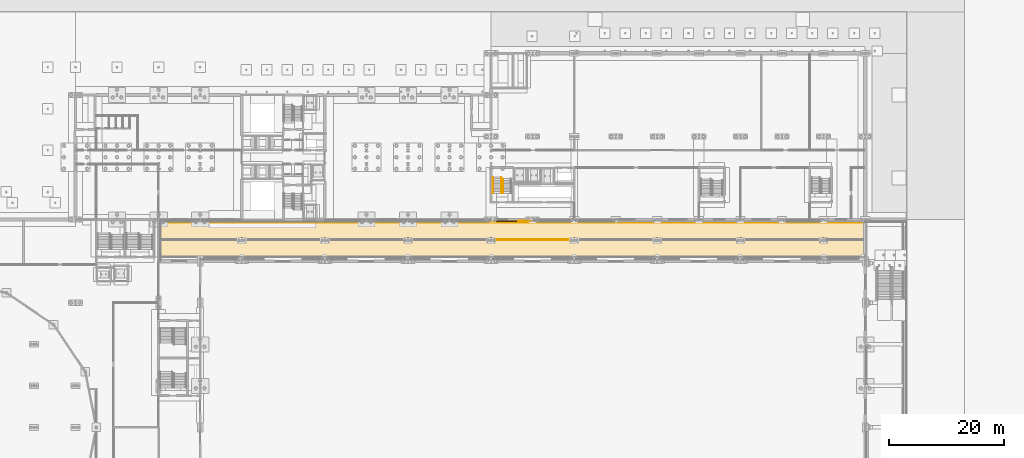
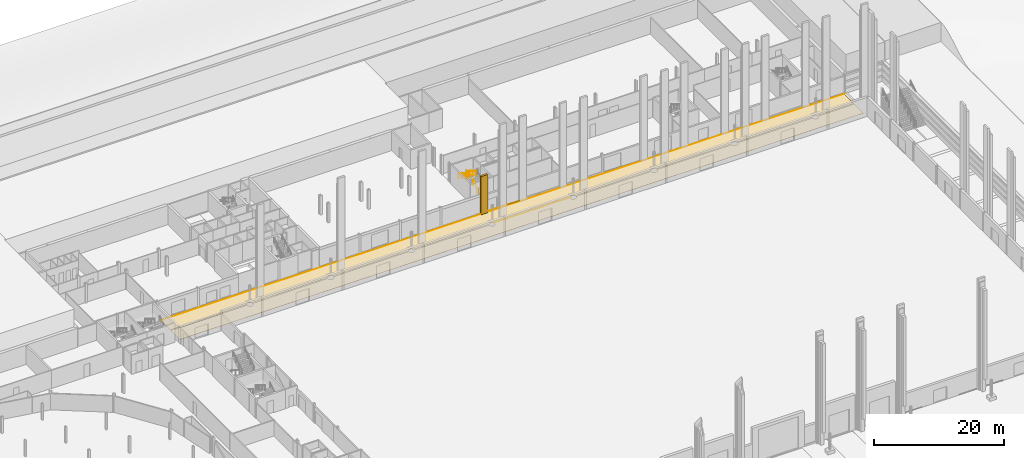
# One storey, part 141 of 148: 7 coverings, 3 railings.
"""IFC4 building model written with IfcOpenShell, lengths in metres."""

from ifc_helpers import new_model, si_unit, direction, frame, origin, origin_2d, place, context, subcontext, project, spatial, polyline, rectangle, circle, outline, extrude, material, layer, layer_set, type_object, element, save


model = new_model("IFC4")

# Units and contexts
model_context = context("Model", 3, precision=1e-05, world=origin(), true_north=direction((0.0, 1.0)))
body_context = subcontext(model_context, "Body", "Model", "MODEL_VIEW")
ifc_project = project(units=[si_unit("LENGTHUNIT", "METRE"), si_unit("AREAUNIT", "SQUARE_METRE"), si_unit("VOLUMEUNIT", "CUBIC_METRE"), si_unit("PLANEANGLEUNIT", "RADIAN"), si_unit("MASSUNIT", "GRAM", prefix="KILO")], contexts=[model_context])

# Site, building, storey
site_placement = place(None, origin())
site = spatial("IfcSite", under=ifc_project, at=site_placement, CompositionType="ELEMENT")
building_placement = place(site_placement, origin())
building = spatial("IfcBuilding", under=site, at=building_placement, Name="Kupolbacken Congress Centre", CompositionType="ELEMENT")
storey_placement = place(building_placement, origin())
storey = spatial("IfcBuildingStorey", under=building, at=storey_placement, Name="L00", CompositionType="ELEMENT", Elevation=0.0)

# Coverings
ifc_material_1 = material(Name="Limestone cladding", Category="masonry")
ifc_layer_1 = layer(ifc_material_1, 0.35009765625)
ifc_layer_set_1 = layer_set([ifc_layer_1], Name="Limestone cladding")
covering_type_1 = type_object("IfcCoveringType", Name="CV3 limestone pilaster strip 350", PredefinedType="CLADDING", material=ifc_layer_set_1)
covering_1_placement = place(storey_placement, frame((137.159912109375, 121.985107421875, 0.0), z_axis=(0.0, 0.0, 1.0), x_axis=(1.0, 0.0, 0.0)))
element("IfcCovering", 1, at=covering_1_placement, inside=storey, type_object=covering_type_1, Name="F/B/S/pil/00/0", PredefinedType="CLADDING", context=body_context, shape_type="SweptSolid", body=[
    extrude(rectangle(XDim=1.199951171875, YDim=0.35009765625, at=origin_2d()), origin(), (0.0, 0.0, 1.0), 7.199951171875),
])
ifc_material_2 = material(Name="Limestone cladding", Category="masonry")
ifc_layer_2 = layer(ifc_material_2, 0.02001953125)
ifc_layer_set_2 = layer_set([ifc_layer_2], Name="Limestone cladding")
covering_type_2 = type_object("IfcCoveringType", Name="GF1 limestone paving 20", PredefinedType="FLOORING", material=ifc_layer_set_2)
covering_2_placement = place(storey_placement, origin())
element("IfcCovering", 2, at=covering_2_placement, inside=storey, type_object=covering_type_2, Name="Bay and lane marking", PredefinedType="FLOORING", context=body_context, shape_type="SweptSolid", body=[
    extrude(outline(polyline([(150.76123046875, 118.993896484375), (150.740478515625, 118.939208984375), (150.729248046875, 118.893798828125), (150.72216796875, 118.84375), (137.27783203125, 118.84375), (137.270751953125, 118.893798828125), (137.259521484375, 118.939208984375), (137.23876953125, 118.993896484375), (150.76123046875, 118.993896484375)])), origin(), (0.0, 0.0, 1.0), 0.02001953125),
])
covering_3_placement = place(storey_placement, origin())
element("IfcCovering", 3, at=covering_3_placement, inside=storey, type_object=covering_type_2, Name="Bay and lane marking", PredefinedType="FLOORING", context=body_context, shape_type="SweptSolid", body=[
    extrude(outline(polyline([(86.138916015625, 121.99755859375), (86.173583984375, 121.9765625), (86.21630859375, 121.95654296875), (86.2607421875, 121.940673828125), (86.306396484375, 121.92919921875), (86.352783203125, 121.92236328125), (86.39990234375, 121.919921875), (86.447021484375, 121.92236328125), (86.49365234375, 121.92919921875), (86.539306640625, 121.940673828125), (86.583740234375, 121.95654296875), (86.626220703125, 121.9765625), (86.6611328125, 121.99755859375), (114.93896484375, 121.99755859375), (114.9736328125, 121.9765625), (115.016357421875, 121.95654296875), (115.060791015625, 121.940673828125), (115.106201171875, 121.92919921875), (115.15283203125, 121.92236328125), (115.199951171875, 121.919921875), (115.2470703125, 121.92236328125), (115.293701171875, 121.92919921875), (115.33935546875, 121.940673828125), (115.3837890625, 121.95654296875), (115.42626953125, 121.9765625), (115.461181640625, 121.99755859375), (122.138916015625, 121.99755859375), (122.173583984375, 121.9765625), (122.21630859375, 121.95654296875), (122.2607421875, 121.940673828125), (122.306396484375, 121.92919921875), (122.352783203125, 121.92236328125), (122.39990234375, 121.919921875), (122.447021484375, 121.92236328125), (122.49365234375, 121.92919921875), (122.539306640625, 121.940673828125), (122.583740234375, 121.95654296875), (122.626220703125, 121.9765625), (122.6611328125, 121.99755859375), (129.3388671875, 121.99755859375), (129.373779296875, 121.9765625), (129.416259765625, 121.95654296875), (129.460693359375, 121.940673828125), (129.50634765625, 121.92919921875), (129.552978515625, 121.92236328125), (129.60009765625, 121.919921875), (129.647216796875, 121.92236328125), (129.693603515625, 121.92919921875), (129.7392578125, 121.940673828125), (129.78369140625, 121.95654296875), (129.826416015625, 121.9765625), (129.861083984375, 121.99755859375), (136.538818359375, 121.99755859375), (136.57373046875, 121.9765625), (136.6162109375, 121.95654296875), (136.66064453125, 121.940673828125), (136.706298828125, 121.92919921875), (136.7529296875, 121.92236328125), (136.800048828125, 121.919921875), (136.84716796875, 121.92236328125), (136.893798828125, 121.92919921875), (136.939208984375, 121.940673828125), (136.983642578125, 121.95654296875), (137.0263671875, 121.9765625), (137.06103515625, 121.99755859375), (143.739013671875, 121.99755859375), (143.773681640625, 121.9765625), (143.81640625, 121.95654296875), (143.860595703125, 121.940673828125), (143.90625, 121.92919921875), (143.952880859375, 121.92236328125), (144.0, 121.919921875), (144.047119140625, 121.92236328125), (144.09375, 121.92919921875), (144.139404296875, 121.940673828125), (144.18359375, 121.95654296875), (144.226318359375, 121.9765625), (144.260986328125, 121.99755859375), (150.93896484375, 121.99755859375), (150.9736328125, 121.9765625), (151.016357421875, 121.95654296875), (151.060791015625, 121.940673828125), (151.106201171875, 121.92919921875), (151.15283203125, 121.92236328125), (151.199951171875, 121.919921875), (151.2470703125, 121.92236328125), (151.293701171875, 121.92919921875), (151.33935546875, 121.940673828125), (151.3837890625, 121.95654296875), (151.42626953125, 121.9765625), (151.461181640625, 121.99755859375), (158.138916015625, 121.99755859375), (158.173583984375, 121.9765625), (158.21630859375, 121.95654296875), (158.2607421875, 121.940673828125), (158.306396484375, 121.92919921875), (158.352783203125, 121.92236328125), (158.39990234375, 121.919921875), (158.447021484375, 121.92236328125), (158.49365234375, 121.92919921875), (158.539306640625, 121.940673828125), (158.583740234375, 121.95654296875), (158.626220703125, 121.9765625), (158.6611328125, 121.99755859375), (165.3388671875, 121.99755859375), (165.373779296875, 121.9765625), (165.416259765625, 121.95654296875), (165.460693359375, 121.940673828125), (165.50634765625, 121.92919921875), (165.552978515625, 121.92236328125), (165.60009765625, 121.919921875), (165.647216796875, 121.92236328125), (165.693603515625, 121.92919921875), (165.7392578125, 121.940673828125), (165.78369140625, 121.95654296875), (165.826416015625, 121.9765625), (165.861083984375, 121.99755859375), (172.538818359375, 121.99755859375), (172.57373046875, 121.9765625), (172.6162109375, 121.95654296875), (172.66064453125, 121.940673828125), (172.706298828125, 121.92919921875), (172.7529296875, 121.92236328125), (172.800048828125, 121.919921875), (172.84716796875, 121.92236328125), (172.893798828125, 121.92919921875), (172.939208984375, 121.940673828125), (172.983642578125, 121.95654296875), (173.0263671875, 121.9765625), (173.06103515625, 121.99755859375), (179.739013671875, 121.99755859375), (179.773681640625, 121.9765625), (179.81640625, 121.95654296875), (179.860595703125, 121.940673828125), (179.90625, 121.92919921875), (179.952880859375, 121.92236328125), (180.0, 121.919921875), (180.047119140625, 121.92236328125), (180.09375, 121.92919921875), (180.139404296875, 121.940673828125), (180.18359375, 121.95654296875), (180.226318359375, 121.9765625), (180.260986328125, 121.99755859375), (186.93896484375, 121.99755859375), (186.9736328125, 121.9765625), (187.016357421875, 121.95654296875), (187.060791015625, 121.940673828125), (187.106201171875, 121.92919921875), (187.15283203125, 121.92236328125), (187.199951171875, 121.919921875), (187.2470703125, 121.92236328125), (187.293701171875, 121.92919921875), (187.33935546875, 121.940673828125), (187.3837890625, 121.95654296875), (187.42626953125, 121.9765625), (187.461181640625, 121.99755859375), (194.138916015625, 121.99755859375), (194.173583984375, 121.9765625), (194.21630859375, 121.95654296875), (194.2607421875, 121.940673828125), (194.306396484375, 121.92919921875), (194.352783203125, 121.92236328125), (194.39990234375, 121.919921875), (194.447021484375, 121.92236328125), (194.49365234375, 121.92919921875), (194.539306640625, 121.940673828125), (194.583740234375, 121.95654296875), (194.626220703125, 121.9765625), (194.6611328125, 121.99755859375), (201.299560546875, 121.99755859375), (201.299560546875, 121.847412109375), (79.5419921875, 121.847412109375), (79.5419921875, 121.99755859375), (86.138916015625, 121.99755859375)])), origin(), (0.0, 0.0, 1.0), 0.02001953125),
])
ifc_material_3 = material(Name="Asphalt", Category="masonry")
ifc_layer_3 = layer(ifc_material_3, 0.02001953125)
ifc_layer_set_3 = layer_set([ifc_layer_3], Name="Asphalt")
covering_type_3 = type_object("IfcCoveringType", Name="GF3 asphalt dock hardstanding 20", PredefinedType="FLOORING", material=ifc_layer_set_3)
covering_4_placement = place(storey_placement, origin())
element("IfcCovering", 4, at=covering_4_placement, inside=storey, type_object=covering_type_3, Name="Service lane asphalt", PredefinedType="FLOORING", context=body_context, shape_type="SweptSolid", body=[
    extrude(outline(polyline([(137.066650390625, 122.0009765625), (137.1044921875, 122.02880859375), (137.139404296875, 122.060546875), (137.171142578125, 122.095458984375), (137.19921875, 122.13330078125), (137.223388671875, 122.173583984375), (137.244873046875, 122.219970703125), (141.4912109375, 122.219970703125), (141.486572265625, 122.12548828125), (141.482666015625, 122.099609375), (143.6259765625, 122.099609375), (143.66064453125, 122.060546875), (143.695556640625, 122.02880859375), (143.7333984375, 122.0009765625), (143.773681640625, 121.9765625), (143.739013671875, 121.99755859375), (137.06103515625, 121.99755859375), (137.0263671875, 121.9765625), (137.066650390625, 122.0009765625)])), origin(), (0.0, 0.0, 1.0), 0.02001953125),
])
covering_5_placement = place(storey_placement, origin())
element("IfcCovering", 5, at=covering_5_placement, inside=storey, type_object=covering_type_3, Name="Service lane asphalt", PredefinedType="FLOORING", context=body_context, shape_type="SweptSolid", body=[
    extrude(outline(polyline([(201.299560546875, 118.993896484375), (194.838623046875, 118.993896484375), (194.843505859375, 118.983642578125), (194.823486328125, 119.0263671875), (194.799072265625, 119.066650390625), (194.77099609375, 119.1044921875), (194.739501953125, 119.139404296875), (194.70458984375, 119.171142578125), (194.666748046875, 119.19921875), (194.626220703125, 119.223388671875), (194.583740234375, 119.243408203125), (194.539306640625, 119.259521484375), (194.49365234375, 119.270751953125), (194.447021484375, 119.277587890625), (194.39990234375, 119.280029296875), (194.352783203125, 119.277587890625), (194.306396484375, 119.270751953125), (194.2607421875, 119.259521484375), (194.21630859375, 119.243408203125), (194.173583984375, 119.223388671875), (194.13330078125, 119.19921875), (194.095458984375, 119.171142578125), (194.060546875, 119.139404296875), (194.02880859375, 119.1044921875), (194.0009765625, 119.066650390625), (193.9765625, 119.0263671875), (193.95654296875, 118.983642578125), (193.961181640625, 118.993896484375), (180.438720703125, 118.993896484375), (180.443603515625, 118.983642578125), (180.42333984375, 119.0263671875), (180.399169921875, 119.066650390625), (180.37109375, 119.1044921875), (180.33935546875, 119.139404296875), (180.304443359375, 119.171142578125), (180.2666015625, 119.19921875), (180.226318359375, 119.223388671875), (180.18359375, 119.243408203125), (180.139404296875, 119.259521484375), (180.09375, 119.270751953125), (180.047119140625, 119.277587890625), (180.0, 119.280029296875), (179.952880859375, 119.277587890625), (179.90625, 119.270751953125), (179.860595703125, 119.259521484375), (179.81640625, 119.243408203125), (179.773681640625, 119.223388671875), (179.7333984375, 119.19921875), (179.695556640625, 119.171142578125), (179.66064453125, 119.139404296875), (179.62890625, 119.1044921875), (179.600830078125, 119.066650390625), (179.57666015625, 119.0263671875), (179.556396484375, 118.983642578125), (179.561279296875, 118.993896484375), (166.038818359375, 118.993896484375), (166.04345703125, 118.983642578125), (166.0234375, 119.0263671875), (165.9990234375, 119.066650390625), (165.97119140625, 119.1044921875), (165.939453125, 119.139404296875), (165.904541015625, 119.171142578125), (165.86669921875, 119.19921875), (165.826416015625, 119.223388671875), (165.78369140625, 119.243408203125), (165.7392578125, 119.259521484375), (165.693603515625, 119.270751953125), (165.647216796875, 119.277587890625), (165.60009765625, 119.280029296875), (165.552978515625, 119.277587890625), (165.50634765625, 119.270751953125), (165.460693359375, 119.259521484375), (165.416259765625, 119.243408203125), (165.373779296875, 119.223388671875), (165.333251953125, 119.19921875), (165.29541015625, 119.171142578125), (165.260498046875, 119.139404296875), (165.22900390625, 119.1044921875), (165.200927734375, 119.066650390625), (165.176513671875, 119.0263671875), (165.156494140625, 118.983642578125), (165.161376953125, 118.993896484375), (151.638671875, 118.993896484375), (151.6435546875, 118.983642578125), (151.623291015625, 119.0263671875), (151.59912109375, 119.066650390625), (151.571044921875, 119.1044921875), (151.539306640625, 119.139404296875), (151.50439453125, 119.171142578125), (151.466796875, 119.19921875), (151.42626953125, 119.223388671875), (151.3837890625, 119.243408203125), (151.33935546875, 119.259521484375), (151.293701171875, 119.270751953125), (151.2470703125, 119.277587890625), (151.199951171875, 119.280029296875), (151.15283203125, 119.277587890625), (151.106201171875, 119.270751953125), (151.060791015625, 119.259521484375), (151.016357421875, 119.243408203125), (150.9736328125, 119.223388671875), (150.933349609375, 119.19921875), (150.8955078125, 119.171142578125), (150.860595703125, 119.139404296875), (150.828857421875, 119.1044921875), (150.80078125, 119.066650390625), (150.776611328125, 119.0263671875), (150.756591796875, 118.983642578125), (150.76123046875, 118.993896484375), (137.23876953125, 118.993896484375), (137.243408203125, 118.983642578125), (137.223388671875, 119.0263671875), (137.19921875, 119.066650390625), (137.171142578125, 119.1044921875), (137.139404296875, 119.139404296875), (137.1044921875, 119.171142578125), (137.066650390625, 119.19921875), (137.0263671875, 119.223388671875), (136.983642578125, 119.243408203125), (136.939208984375, 119.259521484375), (136.893798828125, 119.270751953125), (136.84716796875, 119.277587890625), (136.800048828125, 119.280029296875), (136.7529296875, 119.277587890625), (136.706298828125, 119.270751953125), (136.66064453125, 119.259521484375), (136.6162109375, 119.243408203125), (136.57373046875, 119.223388671875), (136.533203125, 119.19921875), (136.49560546875, 119.171142578125), (136.460693359375, 119.139404296875), (136.428955078125, 119.1044921875), (136.40087890625, 119.066650390625), (136.376708984375, 119.0263671875), (136.3564453125, 118.983642578125), (136.361328125, 118.993896484375), (122.838623046875, 118.993896484375), (122.843505859375, 118.983642578125), (122.823486328125, 119.0263671875), (122.799072265625, 119.066650390625), (122.77099609375, 119.1044921875), (122.739501953125, 119.139404296875), (122.70458984375, 119.171142578125), (122.666748046875, 119.19921875), (122.626220703125, 119.223388671875), (122.583740234375, 119.243408203125), (122.539306640625, 119.259521484375), (122.49365234375, 119.270751953125), (122.447021484375, 119.277587890625), (122.39990234375, 119.280029296875), (122.352783203125, 119.277587890625), (122.306396484375, 119.270751953125), (122.2607421875, 119.259521484375), (122.21630859375, 119.243408203125), (122.173583984375, 119.223388671875), (122.13330078125, 119.19921875), (122.095458984375, 119.171142578125), (122.060546875, 119.139404296875), (122.02880859375, 119.1044921875), (122.0009765625, 119.066650390625), (121.9765625, 119.0263671875), (121.95654296875, 118.983642578125), (121.961181640625, 118.993896484375), (108.438720703125, 118.993896484375), (108.443603515625, 118.983642578125), (108.42333984375, 119.0263671875), (108.399169921875, 119.066650390625), (108.37109375, 119.1044921875), (108.33935546875, 119.139404296875), (108.304443359375, 119.171142578125), (108.2666015625, 119.19921875), (108.226318359375, 119.223388671875), (108.18359375, 119.243408203125), (108.139404296875, 119.259521484375), (108.09375, 119.270751953125), (108.047119140625, 119.277587890625), (108.0, 119.280029296875), (107.952880859375, 119.277587890625), (107.90625, 119.270751953125), (107.860595703125, 119.259521484375), (107.81640625, 119.243408203125), (107.773681640625, 119.223388671875), (107.7333984375, 119.19921875), (107.695556640625, 119.171142578125), (107.66064453125, 119.139404296875), (107.62890625, 119.1044921875), (107.600830078125, 119.066650390625), (107.57666015625, 119.0263671875), (107.556396484375, 118.983642578125), (107.561279296875, 118.993896484375), (94.038818359375, 118.993896484375), (94.04345703125, 118.983642578125), (94.0234375, 119.0263671875), (93.9990234375, 119.066650390625), (93.97119140625, 119.1044921875), (93.939453125, 119.139404296875), (93.904541015625, 119.171142578125), (93.86669921875, 119.19921875), (93.826416015625, 119.223388671875), (93.78369140625, 119.243408203125), (93.7392578125, 119.259521484375), (93.693603515625, 119.270751953125), (93.647216796875, 119.277587890625), (93.60009765625, 119.280029296875), (93.552978515625, 119.277587890625), (93.50634765625, 119.270751953125), (93.460693359375, 119.259521484375), (93.416259765625, 119.243408203125), (93.373779296875, 119.223388671875), (93.333251953125, 119.19921875), (93.29541015625, 119.171142578125), (93.260498046875, 119.139404296875), (93.22900390625, 119.1044921875), (93.200927734375, 119.066650390625), (93.176513671875, 119.0263671875), (93.156494140625, 118.983642578125), (93.161376953125, 118.993896484375), (79.5419921875, 118.993896484375), (79.5419921875, 121.847412109375), (201.299560546875, 121.847412109375), (201.299560546875, 118.993896484375)])), origin(), (0.0, 0.0, 1.0), 0.02001953125),
])
covering_6_placement = place(storey_placement, origin())
element("IfcCovering", 6, at=covering_6_placement, inside=storey, type_object=covering_type_3, Name="Service lane asphalt", PredefinedType="FLOORING", context=body_context, shape_type="SweptSolid", body=[
    extrude(outline(polyline([(201.299560546875, 115.989990234375), (79.5419921875, 115.989990234375), (79.5419921875, 118.84375), (93.1220703125, 118.84375), (93.122314453125, 118.84716796875), (93.1201171875, 118.800048828125), (93.122314453125, 118.7529296875), (93.129150390625, 118.706298828125), (93.140625, 118.66064453125), (93.156494140625, 118.6162109375), (93.176513671875, 118.57373046875), (93.200927734375, 118.533203125), (93.22900390625, 118.49560546875), (93.260498046875, 118.460693359375), (93.29541015625, 118.428955078125), (93.333251953125, 118.40087890625), (93.373779296875, 118.376708984375), (93.416259765625, 118.3564453125), (93.460693359375, 118.340576171875), (93.50634765625, 118.3291015625), (93.552978515625, 118.322265625), (93.60009765625, 118.320068359375), (93.647216796875, 118.322265625), (93.693603515625, 118.3291015625), (93.7392578125, 118.340576171875), (93.78369140625, 118.3564453125), (93.826416015625, 118.376708984375), (93.86669921875, 118.40087890625), (93.904541015625, 118.428955078125), (93.939453125, 118.460693359375), (93.97119140625, 118.49560546875), (93.9990234375, 118.533203125), (94.0234375, 118.57373046875), (94.04345703125, 118.6162109375), (94.059326171875, 118.66064453125), (94.07080078125, 118.706298828125), (94.07763671875, 118.7529296875), (94.080078125, 118.800048828125), (94.07763671875, 118.84716796875), (94.077880859375, 118.84375), (107.522216796875, 118.84375), (107.522216796875, 118.84716796875), (107.52001953125, 118.800048828125), (107.522216796875, 118.7529296875), (107.529296875, 118.706298828125), (107.54052734375, 118.66064453125), (107.556396484375, 118.6162109375), (107.57666015625, 118.57373046875), (107.600830078125, 118.533203125), (107.62890625, 118.49560546875), (107.66064453125, 118.460693359375), (107.695556640625, 118.428955078125), (107.7333984375, 118.40087890625), (107.773681640625, 118.376708984375), (107.81640625, 118.3564453125), (107.860595703125, 118.340576171875), (107.90625, 118.3291015625), (107.952880859375, 118.322265625), (108.0, 118.320068359375), (108.047119140625, 118.322265625), (108.09375, 118.3291015625), (108.139404296875, 118.340576171875), (108.18359375, 118.3564453125), (108.226318359375, 118.376708984375), (108.2666015625, 118.40087890625), (108.304443359375, 118.428955078125), (108.33935546875, 118.460693359375), (108.37109375, 118.49560546875), (108.399169921875, 118.533203125), (108.42333984375, 118.57373046875), (108.443603515625, 118.6162109375), (108.45947265625, 118.66064453125), (108.470703125, 118.706298828125), (108.477783203125, 118.7529296875), (108.47998046875, 118.800048828125), (108.477783203125, 118.84716796875), (108.477783203125, 118.84375), (121.922119140625, 118.84375), (121.92236328125, 118.84716796875), (121.919921875, 118.800048828125), (121.92236328125, 118.7529296875), (121.92919921875, 118.706298828125), (121.940673828125, 118.66064453125), (121.95654296875, 118.6162109375), (121.9765625, 118.57373046875), (122.0009765625, 118.533203125), (122.02880859375, 118.49560546875), (122.060546875, 118.460693359375), (122.095458984375, 118.428955078125), (122.13330078125, 118.40087890625), (122.173583984375, 118.376708984375), (122.21630859375, 118.3564453125), (122.2607421875, 118.340576171875), (122.306396484375, 118.3291015625), (122.352783203125, 118.322265625), (122.39990234375, 118.320068359375), (122.447021484375, 118.322265625), (122.49365234375, 118.3291015625), (122.539306640625, 118.340576171875), (122.583740234375, 118.3564453125), (122.626220703125, 118.376708984375), (122.666748046875, 118.40087890625), (122.70458984375, 118.428955078125), (122.739501953125, 118.460693359375), (122.77099609375, 118.49560546875), (122.799072265625, 118.533203125), (122.823486328125, 118.57373046875), (122.843505859375, 118.6162109375), (122.859375, 118.66064453125), (122.870849609375, 118.706298828125), (122.877685546875, 118.7529296875), (122.8798828125, 118.800048828125), (122.877685546875, 118.84716796875), (122.8779296875, 118.84375), (136.322021484375, 118.84375), (136.322265625, 118.84716796875), (136.320068359375, 118.800048828125), (136.322265625, 118.7529296875), (136.3291015625, 118.706298828125), (136.340576171875, 118.66064453125), (136.3564453125, 118.6162109375), (136.376708984375, 118.57373046875), (136.40087890625, 118.533203125), (136.428955078125, 118.49560546875), (136.460693359375, 118.460693359375), (136.49560546875, 118.428955078125), (136.533203125, 118.40087890625), (136.57373046875, 118.376708984375), (136.6162109375, 118.3564453125), (136.66064453125, 118.340576171875), (136.706298828125, 118.3291015625), (136.7529296875, 118.322265625), (136.800048828125, 118.320068359375), (136.84716796875, 118.322265625), (136.893798828125, 118.3291015625), (136.939208984375, 118.340576171875), (136.983642578125, 118.3564453125), (137.0263671875, 118.376708984375), (137.066650390625, 118.40087890625), (137.1044921875, 118.428955078125), (137.139404296875, 118.460693359375), (137.171142578125, 118.49560546875), (137.19921875, 118.533203125), (137.223388671875, 118.57373046875), (137.243408203125, 118.6162109375), (137.259521484375, 118.66064453125), (137.270751953125, 118.706298828125), (137.277587890625, 118.7529296875), (137.280029296875, 118.800048828125), (137.277587890625, 118.84716796875), (137.27783203125, 118.84375), (150.72216796875, 118.84375), (150.722412109375, 118.84716796875), (150.719970703125, 118.800048828125), (150.722412109375, 118.7529296875), (150.729248046875, 118.706298828125), (150.740478515625, 118.66064453125), (150.756591796875, 118.6162109375), (150.776611328125, 118.57373046875), (150.80078125, 118.533203125), (150.828857421875, 118.49560546875), (150.860595703125, 118.460693359375), (150.8955078125, 118.428955078125), (150.933349609375, 118.40087890625), (150.9736328125, 118.376708984375), (151.016357421875, 118.3564453125), (151.060791015625, 118.340576171875), (151.106201171875, 118.3291015625), (151.15283203125, 118.322265625), (151.199951171875, 118.320068359375), (151.2470703125, 118.322265625), (151.293701171875, 118.3291015625), (151.33935546875, 118.340576171875), (151.3837890625, 118.3564453125), (151.42626953125, 118.376708984375), (151.466796875, 118.40087890625), (151.50439453125, 118.428955078125), (151.539306640625, 118.460693359375), (151.571044921875, 118.49560546875), (151.59912109375, 118.533203125), (151.623291015625, 118.57373046875), (151.6435546875, 118.6162109375), (151.659423828125, 118.66064453125), (151.6708984375, 118.706298828125), (151.677734375, 118.7529296875), (151.679931640625, 118.800048828125), (151.677734375, 118.84716796875), (151.677978515625, 118.84375), (165.1220703125, 118.84375), (165.122314453125, 118.84716796875), (165.1201171875, 118.800048828125), (165.122314453125, 118.7529296875), (165.129150390625, 118.706298828125), (165.140625, 118.66064453125), (165.156494140625, 118.6162109375), (165.176513671875, 118.57373046875), (165.200927734375, 118.533203125), (165.22900390625, 118.49560546875), (165.260498046875, 118.460693359375), (165.29541015625, 118.428955078125), (165.333251953125, 118.40087890625), (165.373779296875, 118.376708984375), (165.416259765625, 118.3564453125), (165.460693359375, 118.340576171875), (165.50634765625, 118.3291015625), (165.552978515625, 118.322265625), (165.60009765625, 118.320068359375), (165.647216796875, 118.322265625), (165.693603515625, 118.3291015625), (165.7392578125, 118.340576171875), (165.78369140625, 118.3564453125), (165.826416015625, 118.376708984375), (165.86669921875, 118.40087890625), (165.904541015625, 118.428955078125), (165.939453125, 118.460693359375), (165.97119140625, 118.49560546875), (165.9990234375, 118.533203125), (166.0234375, 118.57373046875), (166.04345703125, 118.6162109375), (166.059326171875, 118.66064453125), (166.07080078125, 118.706298828125), (166.07763671875, 118.7529296875), (166.080078125, 118.800048828125), (166.07763671875, 118.84716796875), (166.077880859375, 118.84375), (179.522216796875, 118.84375), (179.522216796875, 118.84716796875), (179.52001953125, 118.800048828125), (179.522216796875, 118.7529296875), (179.529296875, 118.706298828125), (179.54052734375, 118.66064453125), (179.556396484375, 118.6162109375), (179.57666015625, 118.57373046875), (179.600830078125, 118.533203125), (179.62890625, 118.49560546875), (179.66064453125, 118.460693359375), (179.695556640625, 118.428955078125), (179.7333984375, 118.40087890625), (179.773681640625, 118.376708984375), (179.81640625, 118.3564453125), (179.860595703125, 118.340576171875), (179.90625, 118.3291015625), (179.952880859375, 118.322265625), (180.0, 118.320068359375), (180.047119140625, 118.322265625), (180.09375, 118.3291015625), (180.139404296875, 118.340576171875), (180.18359375, 118.3564453125), (180.226318359375, 118.376708984375), (180.2666015625, 118.40087890625), (180.304443359375, 118.428955078125), (180.33935546875, 118.460693359375), (180.37109375, 118.49560546875), (180.399169921875, 118.533203125), (180.42333984375, 118.57373046875), (180.443603515625, 118.6162109375), (180.45947265625, 118.66064453125), (180.470703125, 118.706298828125), (180.477783203125, 118.7529296875), (180.47998046875, 118.800048828125), (180.477783203125, 118.84716796875), (180.477783203125, 118.84375), (193.922119140625, 118.84375), (193.92236328125, 118.84716796875), (193.919921875, 118.800048828125), (193.92236328125, 118.7529296875), (193.92919921875, 118.706298828125), (193.940673828125, 118.66064453125), (193.95654296875, 118.6162109375), (193.9765625, 118.57373046875), (194.0009765625, 118.533203125), (194.02880859375, 118.49560546875), (194.060546875, 118.460693359375), (194.095458984375, 118.428955078125), (194.13330078125, 118.40087890625), (194.173583984375, 118.376708984375), (194.21630859375, 118.3564453125), (194.2607421875, 118.340576171875), (194.306396484375, 118.3291015625), (194.352783203125, 118.322265625), (194.39990234375, 118.320068359375), (194.447021484375, 118.322265625), (194.49365234375, 118.3291015625), (194.539306640625, 118.340576171875), (194.583740234375, 118.3564453125), (194.626220703125, 118.376708984375), (194.666748046875, 118.40087890625), (194.70458984375, 118.428955078125), (194.739501953125, 118.460693359375), (194.77099609375, 118.49560546875), (194.799072265625, 118.533203125), (194.823486328125, 118.57373046875), (194.843505859375, 118.6162109375), (194.859375, 118.66064453125), (194.870849609375, 118.706298828125), (194.877685546875, 118.7529296875), (194.8798828125, 118.800048828125), (194.877685546875, 118.84716796875), (194.8779296875, 118.84375), (201.299560546875, 118.84375), (201.299560546875, 115.989990234375)])), origin(), (0.0, 0.0, 1.0), 0.02001953125),
])
ifc_material_4 = material(Name="Granite setts", Category="masonry")
ifc_layer_4 = layer(ifc_material_4, 0.10009765625)
ifc_layer_set_4 = layer_set([ifc_layer_4], Name="Granite setts")
covering_type_4 = type_object("IfcCoveringType", Name="GR3 granite sett paving 100", PredefinedType="FLOORING", material=ifc_layer_set_4)
covering_7_placement = place(storey_placement, origin())
element("IfcCovering", 7, at=covering_7_placement, inside=storey, type_object=covering_type_4, Name="Granite kerb edging", PredefinedType="FLOORING", context=body_context, shape_type="SweptSolid", body=[
    extrude(outline(polyline([(141.486572265625, 122.12548828125), (141.4912109375, 122.219970703125), (143.55517578125, 122.219970703125), (143.556396484375, 122.21630859375), (143.57666015625, 122.173583984375), (143.600830078125, 122.13330078125), (143.6259765625, 122.099609375), (141.482666015625, 122.099609375), (141.486572265625, 122.12548828125)])), origin(), (0.0, 0.0, 1.0), 0.10009765625),
])

# Railings
ifc_material_5 = material(Name="Steel S235", Category="steel")
railing_type = type_object("IfcRailingType", Name="RL3 handrail wall-mounted 900", PredefinedType="HANDRAIL", material=ifc_material_5)
railing_placement = place(storey_placement, frame((138.85009765625, 126.955078125, 0.17138671875)))
element("IfcRailing", 8, at=railing_placement, inside=storey, type_object=railing_type, Name="C/stair/BS1/L00/HR1L", PredefinedType="HANDRAIL", context=body_context, shape_type="SweptSolid", body=[
    extrude(circle(Radius=0.02392578125, at=origin_2d()), frame((0.0, 0.0, 0.8759765625), z_axis=(0.0, 0.852836285881, 0.522178388565), x_axis=(-1.0, 0.0, 0.0)), (0.0, 0.0, 1.0), 2.954833984375),
    extrude(circle(Radius=0.02099609375, at=origin_2d()), origin(), (0.0, 0.0, 1.0), 0.851806640625),
    extrude(circle(Radius=0.02099609375, at=origin_2d()), frame((0.0, 1.260009765625, 0.771484375)), (0.0, 0.0, 1.0), 0.851806640625),
    extrude(circle(Radius=0.02099609375, at=origin_2d()), frame((0.0, 2.52001953125, 1.54296875)), (0.0, 0.0, 1.0), 0.851806640625),
])
for number, where, name in (
    (9, (138.550048828125, 129.7548828125, 1.8857421875), "C/stair/BS1/L00/HR2L"),
    (10, (137.14990234375, 129.7548828125, 1.8857421875), "C/stair/BS1/L00/HR2R"),
):
    element("IfcRailing", number, at=place(storey_placement, frame(where)), inside=storey, type_object=railing_type, Name=name, PredefinedType="HANDRAIL", context=body_context, shape_type="SweptSolid", body=[
        extrude(circle(Radius=0.02392578125, at=origin_2d()), frame((0.0, 0.0, 0.8759765625), z_axis=(0.0, -0.852825620865, 0.522195806567), x_axis=(1.0, 0.0, 0.0)), (0.0, 0.0, 1.0), 3.282958984375),
        extrude(circle(Radius=0.02099609375, at=origin_2d()), origin(), (0.0, 0.0, 1.0), 0.851806640625),
        extrude(circle(Radius=0.02099609375, at=origin_2d()), frame((0.0, -0.933349609375, 0.571533203125)), (0.0, 0.0, 1.0), 0.851806640625),
        extrude(circle(Radius=0.02099609375, at=origin_2d()), frame((0.0, -1.866455078125, 1.142822265625)), (0.0, 0.0, 1.0), 0.851806640625),
        extrude(circle(Radius=0.02099609375, at=origin_2d()), frame((0.0, -2.7998046875, 1.71435546875)), (0.0, 0.0, 1.0), 0.851806640625),
    ])

save(model, "model.ifc")
